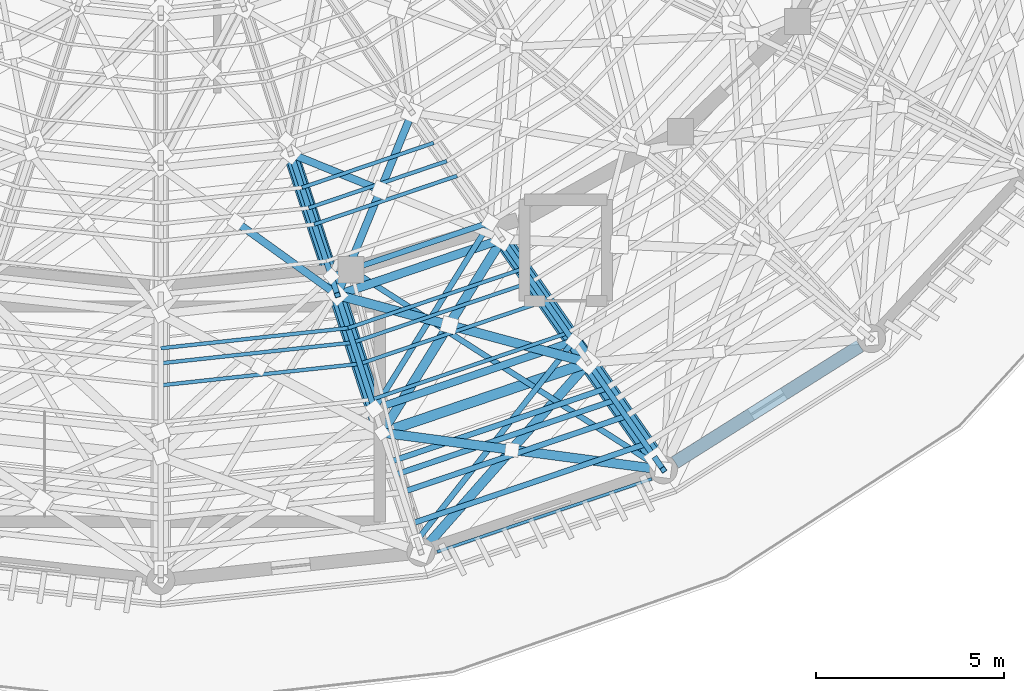
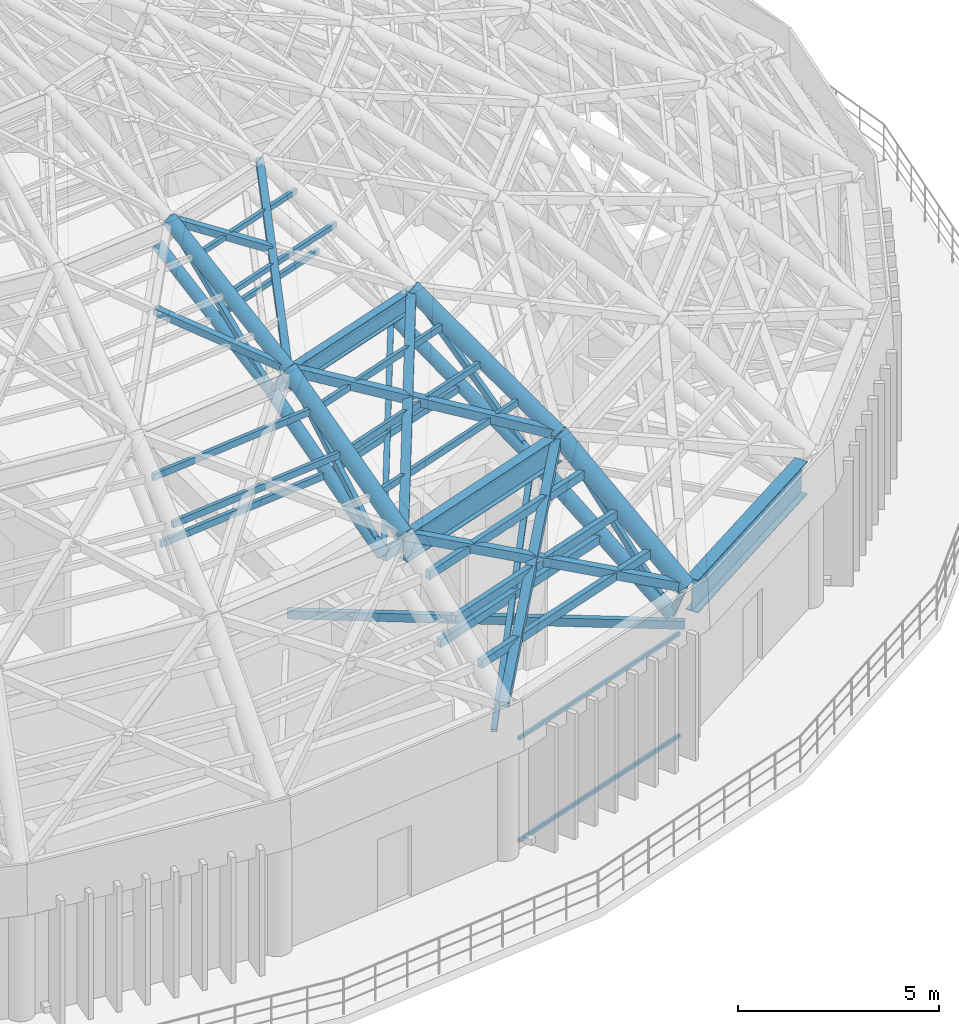
# One storey, part 15 of 50: 44 members, 3 beams.
"""IFC4 building model written with IfcOpenShell, lengths in metres."""

import ifcopenshell
import ifcopenshell.guid

model = None  # the IFC model being written
_history = None  # IfcOwnerHistory: only IFC2X3 demands one
_inside = {}  # id of a spatial element -> (the spatial element, [elements in it])
_under = {}  # id of a project, library or spatial element -> (it, [spatial elements below it])
_declared = {}  # id of a project -> (the project, [libraries it declares])
_typed = {}  # id of a type object -> (the type object, [elements of that type])
_made_of = {}  # id of a material, layer set ... -> (it, [elements and type objects made of it])


def new_model(schema):
    """Start an empty IFC model of exactly this schema.

    Asked for "IFC4X3", IfcOpenShell would pick the latest addendum, in which some entities
    have other attributes; the version numbers below select the first issue.
    IFC2X3 requires an IfcOwnerHistory on every rooted entity: one is made here for all.
    """
    global model, _history
    if schema == "IFC4X3":
        model = ifcopenshell.file(schema_version=(4, 3, 0, 0))
    else:
        model = ifcopenshell.file(schema=schema)
    _inside.clear()
    _under.clear()
    _declared.clear()
    _typed.clear()
    _made_of.clear()
    _history = None
    if model.schema == "IFC2X3":
        org = make("IfcOrganization", Name="unknown")
        user = make(
            "IfcPersonAndOrganization",
            ThePerson=make("IfcPerson", FamilyName="unknown"),
            TheOrganization=org,
        )
        app = make(
            "IfcApplication",
            ApplicationDeveloper=org,
            Version="unknown",
            ApplicationFullName="unknown",
            ApplicationIdentifier="unknown",
        )
        _history = make(
            "IfcOwnerHistory",
            OwningUser=user,
            OwningApplication=app,
            ChangeAction="ADDED",
            CreationDate=0,
        )
    return model


def make(cls, **values):
    """One entity of the class cls with the attributes given. An attribute that is None is left unset."""
    return model.create_entity(
        cls, **{name: value for name, value in values.items() if value is not None}
    )


def rooted(cls, **values):
    """An entity with a GlobalId (a new one), such as an element, a storey or a relation."""
    return make(cls, GlobalId=ifcopenshell.guid.new(), OwnerHistory=_history, **values)


def si_unit(unit_type, name, prefix=None):
    """IfcSIUnit, for example si_unit("LENGTHUNIT", "METRE", prefix="MILLI")."""
    return make("IfcSIUnit", UnitType=unit_type, Prefix=prefix, Name=name)


def assignment(units):
    """IfcUnitAssignment: the units of a project."""
    return None if units is None else make("IfcUnitAssignment", Units=units)


def point(xyz):
    """IfcCartesianPoint."""
    return None if xyz is None else make("IfcCartesianPoint", Coordinates=xyz)


def direction(xyz):
    """IfcDirection."""
    return None if xyz is None else make("IfcDirection", DirectionRatios=xyz)


def frame(location, z_axis=None, x_axis=None):
    """IfcAxis2Placement3D, a coordinate frame: its origin and axes. An axis left out is left unset."""
    return make(
        "IfcAxis2Placement3D",
        Location=point(location),
        Axis=direction(z_axis),
        RefDirection=direction(x_axis),
    )


def frame_2d(location, x_axis=None):
    """IfcAxis2Placement2D, a coordinate frame in the plane: its origin and x axis."""
    return make(
        "IfcAxis2Placement2D", Location=point(location), RefDirection=direction(x_axis)
    )


def origin():
    """The frame at (0, 0, 0) with its axes left unset."""
    return frame((0.0, 0.0, 0.0))


def origin_2d():
    """The frame at (0, 0) in the plane with its x axis left unset."""
    return frame_2d((0.0, 0.0))


def place(relative_to, where):
    """IfcLocalPlacement: puts the frame where relative to a parent placement (None: the world)."""
    return make(
        "IfcLocalPlacement", PlacementRelTo=relative_to, RelativePlacement=where
    )


def context(
    kind, dimensions, precision=None, world=None, true_north=None, identifier=None
):
    """IfcGeometricRepresentationContext, for example the 3D "Model" context."""
    return make(
        "IfcGeometricRepresentationContext",
        ContextIdentifier=identifier,
        ContextType=kind,
        CoordinateSpaceDimension=dimensions,
        Precision=precision,
        WorldCoordinateSystem=world,
        TrueNorth=true_north,
    )


def subcontext(parent, identifier, kind, view, scale=None):
    """IfcGeometricRepresentationSubContext, for example "Body" below "Model"."""
    return make(
        "IfcGeometricRepresentationSubContext",
        ContextIdentifier=identifier,
        ContextType=kind,
        ParentContext=parent,
        TargetScale=scale,
        TargetView=view,
    )


def project(units=None, contexts=None):
    """IfcProject with its units and contexts."""
    return rooted(
        "IfcProject",
        Name="project",
        RepresentationContexts=contexts,
        UnitsInContext=assignment(units),
    )


def spatial(cls, under=None, at=None, **own):
    """A site, building, storey or space (cls), placed at a placement, below another one or the project."""
    s = rooted(cls, ObjectPlacement=at, **own)
    if under is not None:
        _under.setdefault(under.id(), (under, []))[1].append(s)
    return s


def profile(cls, at=None, kind="AREA", **sizes):
    """A parametric profile (cls). Its sizes go by their IFC names, for example OverallWidth=200.0."""
    return make(cls, ProfileType=kind, Position=at, **sizes)


def rectangle(**sizes):
    """IfcRectangleProfileDef."""
    return profile("IfcRectangleProfileDef", **sizes)


def hollow_rectangle(**sizes):
    """IfcRectangleHollowProfileDef."""
    return profile("IfcRectangleHollowProfileDef", **sizes)


def hollow_circle(**sizes):
    """IfcCircleHollowProfileDef."""
    return profile("IfcCircleHollowProfileDef", **sizes)


def i_section(**sizes):
    """IfcIShapeProfileDef."""
    return profile("IfcIShapeProfileDef", **sizes)


def extrude(swept, where, along, depth):
    """IfcExtrudedAreaSolid: the profile swept, set in the frame where, extruded along a direction by depth."""
    return make(
        "IfcExtrudedAreaSolid",
        SweptArea=swept,
        Position=where,
        ExtrudedDirection=direction(along),
        Depth=depth,
    )


def shape(context_of_items, identifier, shape_type, items):
    """IfcShapeRepresentation: the items that make up one representation, for example the "Body"."""
    return make(
        "IfcShapeRepresentation",
        ContextOfItems=context_of_items,
        RepresentationIdentifier=identifier,
        RepresentationType=shape_type,
        Items=items,
    )


def material(Name=None, Category=None):
    """IfcMaterial."""
    return make("IfcMaterial", Name=Name, Category=Category)


def material_profile(
    of_material, cross_section, Name=None, Category=None, Priority=None
):
    """IfcMaterialProfile: a cross section and its material."""
    return make(
        "IfcMaterialProfile",
        Name=Name,
        Material=of_material,
        Profile=cross_section,
        Priority=Priority,
        Category=Category,
    )


def profile_set(profiles, Name=None, composite=None):
    """IfcMaterialProfileSet."""
    return make(
        "IfcMaterialProfileSet",
        Name=Name,
        MaterialProfiles=profiles,
        CompositeProfile=composite,
    )


def made_of(thing, what):
    """Note that an element or type object is made of a material, layer set ...; save() writes the relation."""
    if what is not None:
        _made_of.setdefault(what.id(), (what, []))[1].append(thing)
    return thing


def type_object(cls, material=None, **own):
    """A type object (cls), such as IfcWallType, which elements share."""
    return made_of(rooted(cls, **own), material)


def element(
    cls,
    number,
    at=None,
    inside=None,
    cuts=None,
    type_object=None,
    material=None,
    context=None,
    identifier="Body",
    shape_type=None,
    held_by="IfcProductDefinitionShape",
    body=None,
    shapes=None,
    **own,
):
    """One element of the class cls, such as IfcWall. Its Tag is "e" and its number.

    at: its placement. inside: the storey or other place that contains it. cuts: it is an
    opening in that element (IfcRelVoidsElement). A single representation is given by context,
    identifier, shape_type and body (its items); several are given by shapes. held_by: the class
    of the entity that holds the representations. save() writes the other relations.
    """
    e = rooted(cls, Tag="e%d" % number, ObjectPlacement=at, **own)
    if body is not None:
        shapes = [shape(context, identifier, shape_type, body)]
    if shapes is not None:
        e.Representation = make(held_by, Representations=shapes)
    if inside is not None:
        _inside.setdefault(inside.id(), (inside, []))[1].append(e)
    if cuts is not None:
        rooted(
            "IfcRelVoidsElement", RelatingBuildingElement=cuts, RelatedOpeningElement=e
        )
    if type_object is not None:
        _typed.setdefault(type_object.id(), (type_object, []))[1].append(e)
    return made_of(e, material)


def aggregate(whole, parts):
    """IfcRelAggregates: a whole, such as a stair, and the parts it consists of."""
    return rooted("IfcRelAggregates", RelatingObject=whole, RelatedObjects=parts)


def save(model, path):
    """Write the relations noted so far, then the file.

    IfcRelAggregates (storeys below a building ...), IfcRelContainedInSpatialStructure (elements
    in a storey), IfcRelDefinesByType, IfcRelAssociatesMaterial and IfcRelDeclares: one each for
    every whole, place, type object, material and project.
    """
    for whole, parts in _under.values():
        aggregate(whole, parts)
    for where, things in _inside.values():
        rooted(
            "IfcRelContainedInSpatialStructure",
            RelatedElements=things,
            RelatingStructure=where,
        )
    for kind, things in _typed.values():
        rooted("IfcRelDefinesByType", RelatedObjects=things, RelatingType=kind)
    for what, things in _made_of.values():
        rooted("IfcRelAssociatesMaterial", RelatedObjects=things, RelatingMaterial=what)
    for by, libraries in _declared.values():
        rooted("IfcRelDeclares", RelatingContext=by, RelatedDefinitions=libraries)
    model.write(path)


model = new_model("IFC4")

# Units and contexts
model_context = context("Model", 3, precision=1e-05, world=origin(), true_north=direction((0.0, 1.0)))
body_context = subcontext(model_context, "Body", "Model", "MODEL_VIEW")
ifc_project = project(units=[si_unit("LENGTHUNIT", "METRE"), si_unit("AREAUNIT", "SQUARE_METRE"), si_unit("VOLUMEUNIT", "CUBIC_METRE"), si_unit("PLANEANGLEUNIT", "RADIAN"), si_unit("MASSUNIT", "GRAM", prefix="KILO")], contexts=[model_context])

# Site, building, storey
site_placement = place(None, origin())
site = spatial("IfcSite", under=ifc_project, at=site_placement, CompositionType="ELEMENT")
building_placement = place(site_placement, origin())
building = spatial("IfcBuilding", under=site, at=building_placement, Name="Cinderbank Siding Concert Hall", CompositionType="ELEMENT")
storey_placement = place(building_placement, frame((0.0, 0.0, 23.699951171875)))
storey = spatial("IfcBuildingStorey", under=building, at=storey_placement, Name="L06", CompositionType="ELEMENT", Elevation=23.699951171875)

# Beams
ifc_material_1 = material(Name="Structural steel AS/NZS 3679.1 Grade 350 (340 MPa)", Category="steel")
ifc_material_profile_1 = material_profile(ifc_material_1, i_section(OverallWidth=0.22900390625, OverallDepth=0.611572265625, WebThickness=0.011962890625, FlangeThickness=0.01953125, at=origin_2d()), Name="610UB125", Category="LoadBearing")
ifc_profile_set_1 = profile_set([ifc_material_profile_1], Name="Structural steel AS/NZS 3679.1 Grade 350 (340 MPa)")
beam_type_1 = type_object("IfcBeamType", Name="BM-UB610H 610UB125", PredefinedType="BEAM", material=ifc_profile_set_1)
beam_1_placement = place(storey_placement, frame((126.71044921875, 29.607666015625, 10.994140625), z_axis=(0.94703248812, 0.321137768636, 0.0), x_axis=(-0.321137768636, 0.94703248812, 0.0)))
element("IfcBeam", 1, at=beam_1_placement, inside=storey, type_object=beam_type_1, Name="L06 Beam BM-UB610H #2069", PredefinedType="BEAM", context=body_context, shape_type="SweptSolid", body=[
    extrude(i_section(OverallWidth=0.22900390625, OverallDepth=0.611572265625, WebThickness=0.011962890625, FlangeThickness=0.01953125, at=origin_2d()), origin(), (0.0, 0.0, 1.0), 4.63525390625),
])
ifc_material_2 = material(Name="Structural steel welded plate section AS/NZS 3679.2 / AS/NZS 3678 Grade 350 (340 MPa)", Category="steel")
ifc_material_profile_2 = material_profile(ifc_material_2, i_section(OverallWidth=0.35009765625, OverallDepth=1.0, WebThickness=0.013916015625, FlangeThickness=0.02490234375, at=origin_2d()), Name="1000WB258", Category="LoadBearing")
ifc_profile_set_2 = profile_set([ifc_material_profile_2], Name="Structural steel welded plate section AS/NZS 3679.2 / AS/NZS 3678 Grade 350 (340 MPa)")
beam_type_2 = type_object("IfcBeamType", Name="BM-WB1000 1000WB258", PredefinedType="BEAM", material=ifc_profile_set_2)
beam_2_placement = place(storey_placement, frame((135.71044921875, 25.14306640625, 4.0), z_axis=(0.8461355517, 0.532967755263, 0.0), x_axis=(-0.532967755263, 0.8461355517, 0.0)))
element("IfcBeam", 2, at=beam_2_placement, inside=storey, type_object=beam_type_2, Name="L06 Beam BM-WB1000 #835", PredefinedType="BEAM", context=body_context, shape_type="SweptSolid", body=[
    extrude(i_section(OverallWidth=0.35009765625, OverallDepth=1.0, WebThickness=0.013916015625, FlangeThickness=0.02490234375, at=origin_2d()), origin(), (0.0, 0.0, 1.0), 5.825927734375),
])
ifc_material_profile_3 = material_profile(ifc_material_2, i_section(OverallWidth=0.27490234375, OverallDepth=0.800048828125, WebThickness=0.010009765625, FlangeThickness=0.01611328125, at=origin_2d()), Name="800WB146", Category="LoadBearing")
ifc_profile_set_3 = profile_set([ifc_material_profile_3], Name="Structural steel welded plate section AS/NZS 3679.2 / AS/NZS 3678 Grade 350 (340 MPa)")
beam_type_3 = type_object("IfcBeamType", Name="BM-WB800 800WB146", PredefinedType="BEAM", material=ifc_profile_set_3)
beam_3_placement = place(storey_placement, frame((127.901123046875, 25.937255859375, 7.699951171875), z_axis=(0.946847286492, 0.32168340968, 0.0), x_axis=(-0.32168340968, 0.946847286492, 0.0)))
element("IfcBeam", 3, at=beam_3_placement, inside=storey, type_object=beam_type_3, Name="L06 Beam BM-WB800 #2052", PredefinedType="BEAM", context=body_context, shape_type="SweptSolid", body=[
    extrude(i_section(OverallWidth=0.27490234375, OverallDepth=0.800048828125, WebThickness=0.010009765625, FlangeThickness=0.01611328125, at=origin_2d()), origin(), (0.0, 0.0, 1.0), 5.807373046875),
])

# Members
ifc_material_3 = material(Name="Structural steel hollow section AS/NZS 1163 Grade C350L0 (350 MPa)", Category="steel")
ifc_material_profile_4 = material_profile(ifc_material_3, hollow_rectangle(XDim=0.14990234375, YDim=0.14990234375, WallThickness=0.008056640625, at=origin_2d()), Name="150x150x8.0SHS", Category="LoadBearing")
ifc_profile_set_4 = profile_set([ifc_material_profile_4], Name="Structural steel hollow section AS/NZS 1163 Grade C350L0 (350 MPa)")
member_type_1 = type_object("IfcMemberType", Name="BR-SHS150 150x150x8.0SHS Roof Truss", PredefinedType="BRACE", material=ifc_profile_set_4)
member_1_placement = place(storey_placement, frame((128.832275390625, 23.068359375, 3.550048828125), z_axis=(0.545181601427, 0.69361786878, 0.470819788852), x_axis=(-0.78621032505, 0.617958999274, 0.0)))
element("IfcMember", 4, at=member_1_placement, inside=storey, type_object=member_type_1, Name="L06 Diagonal Brace BR-SHS150 #DBRI-BR-SHS150-L06-0767", PredefinedType="BRACE", context=body_context, shape_type="SweptSolid", body=[
    extrude(hollow_rectangle(XDim=0.14990234375, YDim=0.14990234375, WallThickness=0.008056640625, at=origin_2d()), origin(), (0.0, 0.0, 1.0), 7.646484375),
])
member_2_placement = place(storey_placement, frame((135.198974609375, 25.233154296875, 3.550048828125), z_axis=(-0.325461221953, 0.465335789726, 0.823126719166), x_axis=(-0.819458401661, -0.573138663804, 0.0)))
element("IfcMember", 5, at=member_2_placement, inside=storey, type_object=member_type_1, Name="L06 Diagonal Brace BR-SHS150 #DWBD-BR-SHS150-L06-0770", PredefinedType="BRACE", context=body_context, shape_type="SweptSolid", body=[
    extrude(hollow_rectangle(XDim=0.14990234375, YDim=0.14990234375, WallThickness=0.008056640625, at=origin_2d()), origin(), (0.0, 0.0, 1.0), 5.52783203125),
])
member_3_placement = place(storey_placement, frame((135.198974609375, 25.233154296875, 3.550048828125), z_axis=(0.198523096984, -0.28222603095, 0.938582467031), x_axis=(0.817916075625, 0.575337547213, 0.0)))
element("IfcMember", 6, at=member_3_placement, inside=storey, type_object=member_type_1, Name="L06 Diagonal Brace BR-SHS150 #DWBV-BR-SHS150-L06-0773", PredefinedType="BRACE", context=body_context, shape_type="SweptSolid", body=[
    extrude(hollow_rectangle(XDim=0.14990234375, YDim=0.14990234375, WallThickness=0.008056640625, at=origin_2d()), origin(), (0.0, 0.0, 1.0), 1.01220703125),
])
member_4_placement = place(storey_placement, frame((127.694580078125, 26.5693359375, 7.150146484375), z_axis=(-0.187934294222, 0.580213915056, 0.792485024357), x_axis=(-0.951339765212, -0.30814388056, 0.0)))
element("IfcMember", 7, at=member_4_placement, inside=storey, type_object=member_type_1, Name="L06 Diagonal Brace BR-SHS150 #DWBD-BR-SHS150-L06-1046", PredefinedType="BRACE", context=body_context, shape_type="SweptSolid", body=[
    extrude(hollow_rectangle(XDim=0.14990234375, YDim=0.14990234375, WallThickness=0.008056640625, at=origin_2d()), origin(), (0.0, 0.0, 1.0), 5.236572265625),
])
member_5_placement = place(storey_placement, frame((127.694580078125, 26.5693359375, 7.150146484375), z_axis=(0.462465684952, 0.745855761431, 0.479400326848), x_axis=(-0.849884772725, 0.526968569357, 0.0)))
element("IfcMember", 8, at=member_5_placement, inside=storey, type_object=member_type_1, Name="L06 Diagonal Brace BR-SHS150 #DBRI-BR-SHS150-L06-1055", PredefinedType="BRACE", context=body_context, shape_type="SweptSolid", body=[
    extrude(hollow_rectangle(XDim=0.14990234375, YDim=0.14990234375, WallThickness=0.008056640625, at=origin_2d()), origin(), (0.0, 0.0, 1.0), 6.6748046875),
])
member_6_placement = place(storey_placement, frame((133.0009765625, 28.3720703125, 7.150146484375), z_axis=(-0.357602166858, 0.512474310018, 0.780698899596), x_axis=(-0.820080431066, -0.572248273551, 0.0)))
element("IfcMember", 9, at=member_6_placement, inside=storey, type_object=member_type_1, Name="L06 Diagonal Brace BR-SHS150 #DWBD-BR-SHS150-L06-1058", PredefinedType="BRACE", context=body_context, shape_type="SweptSolid", body=[
    extrude(hollow_rectangle(XDim=0.14990234375, YDim=0.14990234375, WallThickness=0.008056640625, at=origin_2d()), origin(), (0.0, 0.0, 1.0), 5.315673828125),
])
member_7_placement = place(storey_placement, frame((126.545654296875, 30.111328125, 10.35009765625), z_axis=(-0.214909661332, 0.650962484257, 0.728053350762), x_axis=(-0.949588685113, -0.313498531264, 0.0)))
element("IfcMember", 10, at=member_7_placement, inside=storey, type_object=member_type_1, Name="L06 Diagonal Brace BR-SHS150 #DWBD-BR-SHS150-L06-1334", PredefinedType="BRACE", context=body_context, shape_type="SweptSolid", body=[
    extrude(hollow_rectangle(XDim=0.14990234375, YDim=0.14990234375, WallThickness=0.008056640625, at=origin_2d()), origin(), (0.0, 0.0, 1.0), 5.01318359375),
])
member_8_placement = place(storey_placement, frame((126.545654296875, 30.111328125, 10.35009765625), z_axis=(0.151498168389, -0.463023290943, 0.873302775113), x_axis=(0.950419411775, 0.310970966044, 0.0)))
element("IfcMember", 11, at=member_8_placement, inside=storey, type_object=member_type_1, Name="L06 Diagonal Brace BR-SHS150 #DWBV-BR-SHS150-L06-1337", PredefinedType="BRACE", context=body_context, shape_type="SweptSolid", body=[
    extrude(hollow_rectangle(XDim=0.14990234375, YDim=0.14990234375, WallThickness=0.008056640625, at=origin_2d()), origin(), (0.0, 0.0, 1.0), 1.087646484375),
])
ifc_material_profile_5 = material_profile(ifc_material_3, hollow_rectangle(XDim=0.199951171875, YDim=0.199951171875, WallThickness=0.009033203125, at=origin_2d()), Name="200x200x9.0SHS", Category="LoadBearing")
ifc_profile_set_5 = profile_set([ifc_material_profile_5], Name="Structural steel hollow section AS/NZS 1163 Grade C350L0 (350 MPa)")
member_type_2 = type_object("IfcMemberType", Name="BR-SHS200 200x200x9.0SHS Roof Truss", PredefinedType="BRACE", material=ifc_profile_set_5)
member_9_placement = place(storey_placement, frame((126.71044921875, 29.607666015625, 11.300048828125), z_axis=(-0.735770579024, 0.529890430557, 0.421731889531), x_axis=(-0.58440322325, -0.811463414243, 0.0)))
element("IfcMember", 12, at=member_9_placement, inside=storey, type_object=member_type_2, Name="L06 Diagonal Brace BR-SHS200 #DBRO-BR-SHS200-L06-1330", PredefinedType="BRACE", context=body_context, shape_type="SweptSolid", body=[
    extrude(hollow_rectangle(XDim=0.199951171875, YDim=0.199951171875, WallThickness=0.009033203125, at=origin_2d()), origin(), (0.0, 0.0, 1.0), 3.672607421875),
])
member_10_placement = place(storey_placement, frame((126.71044921875, 29.607666015625, 11.300048828125), z_axis=(0.336645747744, 0.823375432358, 0.456861617904), x_axis=(-0.925621655258, 0.378450196613, 0.0)))
element("IfcMember", 13, at=member_10_placement, inside=storey, type_object=member_type_2, Name="L06 Diagonal Brace BR-SHS200 #DBRO-BR-SHS200-L06-1341", PredefinedType="BRACE", context=body_context, shape_type="SweptSolid", body=[
    extrude(hollow_rectangle(XDim=0.199951171875, YDim=0.199951171875, WallThickness=0.009033203125, at=origin_2d()), origin(), (0.0, 0.0, 1.0), 5.90966796875),
])
member_11_placement = place(storey_placement, frame((127.843505859375, 32.413818359375, 12.861328125), z_axis=(-0.847126729661, 0.342716703458, 0.406105362025), x_axis=(-0.375034859642, -0.927010708705, 0.0)))
element("IfcMember", 14, at=member_11_placement, inside=storey, type_object=member_type_2, Name="L06 Diagonal Brace BR-SHS200 #DBRO-BR-SHS200-L06-1342-S124", PredefinedType="BRACE", context=body_context, shape_type="SweptSolid", body=[
    extrude(hollow_rectangle(XDim=0.199951171875, YDim=0.199951171875, WallThickness=0.009033203125, at=origin_2d()), origin(), (0.0, 0.0, 1.0), 2.803955078125),
])
ifc_material_profile_6 = material_profile(ifc_material_3, hollow_rectangle(XDim=0.25, YDim=0.25, WallThickness=0.010009765625, at=origin_2d()), Name="250x250x10.0SHS", Category="LoadBearing")
ifc_profile_set_6 = profile_set([ifc_material_profile_6], Name="Structural steel hollow section AS/NZS 1163 Grade C350L0 (350 MPa)")
member_type_3 = type_object("IfcMemberType", Name="BR-SHS250 250x250x10.0SHS Roof Truss", PredefinedType="BRACE", material=ifc_profile_set_6)
member_12_placement = place(storey_placement, frame((128.936279296875, 22.74951171875, 4.5), z_axis=(0.583857667067, 0.661330658387, 0.470905494643), x_axis=(-0.749651899244, 0.661832327678, 0.0)))
element("IfcMember", 15, at=member_12_placement, inside=storey, type_object=member_type_3, Name="L06 Diagonal Brace BR-SHS250 #DBRO-BR-SHS250-L06-0765", PredefinedType="BRACE", context=body_context, shape_type="SweptSolid", body=[
    extrude(hollow_rectangle(XDim=0.25, YDim=0.25, WallThickness=0.010009765625, at=origin_2d()), origin(), (0.0, 0.0, 1.0), 7.64501953125),
])
member_13_placement = place(storey_placement, frame((135.39990234375, 24.947509765625, 4.5), z_axis=(-0.895170843684, 0.118147397325, 0.429779423802), x_axis=(-0.130848333351, -0.991402397445, 0.0)))
element("IfcMember", 16, at=member_13_placement, inside=storey, type_object=member_type_3, Name="L06 Diagonal Brace BR-SHS250 #DBRO-BR-SHS250-L06-0766", PredefinedType="BRACE", context=body_context, shape_type="SweptSolid", body=[
    extrude(hollow_rectangle(XDim=0.25, YDim=0.25, WallThickness=0.010009765625, at=origin_2d()), origin(), (0.0, 0.0, 1.0), 4.510986328125),
])
member_14_placement = place(storey_placement, frame((131.3349609375, 25.48388671875, 6.45166015625), z_axis=(-0.895184303146, 0.118191059434, 0.429739382499), x_axis=(-0.130893926452, -0.991396378861, 0.0)))
element("IfcMember", 17, at=member_14_placement, inside=storey, type_object=member_type_3, Name="L06 Diagonal Brace BR-SHS250 #DBRO-BR-SHS250-L06-0766-S76", PredefinedType="BRACE", context=body_context, shape_type="SweptSolid", body=[
    extrude(hollow_rectangle(XDim=0.25, YDim=0.25, WallThickness=0.010009765625, at=origin_2d()), origin(), (0.0, 0.0, 1.0), 3.8359375),
])
member_15_placement = place(storey_placement, frame((127.901123046875, 25.937255859375, 8.10009765625), z_axis=(0.466183459403, 0.751806661119, 0.466325772906), x_axis=(-0.84987062871, 0.526991379868, 0.0)))
element("IfcMember", 18, at=member_15_placement, inside=storey, type_object=member_type_3, Name="L06 Diagonal Brace BR-SHS250 #DBRO-BR-SHS250-L06-1053", PredefinedType="BRACE", context=body_context, shape_type="SweptSolid", body=[
    extrude(hollow_rectangle(XDim=0.25, YDim=0.25, WallThickness=0.010009765625, at=origin_2d()), origin(), (0.0, 0.0, 1.0), 6.862060546875),
])
member_16_placement = place(storey_placement, frame((133.39990234375, 27.805419921875, 8.10009765625), z_axis=(-0.876581362999, 0.236164796434, 0.41932243318), x_axis=(-0.260139980225, -0.965570914376, 0.0)))
element("IfcMember", 19, at=member_16_placement, inside=storey, type_object=member_type_3, Name="L06 Diagonal Brace BR-SHS250 #DBRO-BR-SHS250-L06-1054", PredefinedType="BRACE", context=body_context, shape_type="SweptSolid", body=[
    extrude(hollow_rectangle(XDim=0.25, YDim=0.25, WallThickness=0.010009765625, at=origin_2d()), origin(), (0.0, 0.0, 1.0), 4.22802734375),
])
member_17_placement = place(storey_placement, frame((129.667236328125, 28.81103515625, 9.8857421875), z_axis=(-0.876591247642, 0.236175149951, 0.419295937379), x_axis=(-0.260147878006, -0.965568786555, 0.0)))
element("IfcMember", 20, at=member_17_placement, inside=storey, type_object=member_type_3, Name="L06 Diagonal Brace BR-SHS250 #DBRO-BR-SHS250-L06-1054-S100", PredefinedType="BRACE", context=body_context, shape_type="SweptSolid", body=[
    extrude(hollow_rectangle(XDim=0.25, YDim=0.25, WallThickness=0.010009765625, at=origin_2d()), origin(), (0.0, 0.0, 1.0), 3.373046875),
])
ifc_material_profile_7 = material_profile(ifc_material_3, hollow_circle(Radius=0.161865234375, WallThickness=0.0126953125, at=origin_2d()), Name="323.9x12.7CHS", Category="LoadBearing")
ifc_profile_set_7 = profile_set([ifc_material_profile_7], Name="Structural steel hollow section AS/NZS 1163 Grade C350L0 (350 MPa)")
member_type_4 = type_object("IfcMemberType", Name="DR-CHS323 323.9x12.7CHS Roof Truss", PredefinedType="RAFTER", material=ifc_profile_set_7)
member_18_placement = place(storey_placement, frame((126.545654296875, 30.111328125, 10.35009765625), z_axis=(-0.255957843649, 0.776056259813, 0.576387251663), x_axis=(-0.949679883336, -0.313222156284, 0.0)))
element("IfcMember", 21, at=member_18_placement, inside=storey, type_object=member_type_4, Name="L06 Roof Truss Member DR-CHS323 #1333", PredefinedType="RAFTER", context=body_context, shape_type="SweptSolid", body=[
    extrude(hollow_circle(Radius=0.161865234375, WallThickness=0.0126953125, at=origin_2d()), origin(), (0.0, 0.0, 1.0), 4.684326171875),
])
ifc_material_profile_8 = material_profile(ifc_material_3, hollow_circle(Radius=0.177734375, WallThickness=0.0126953125, at=origin_2d()), Name="355.6x12.7CHS", Category="LoadBearing")
ifc_profile_set_8 = profile_set([ifc_material_profile_8], Name="Structural steel hollow section AS/NZS 1163 Grade C350L0 (350 MPa)")
member_type_5 = type_object("IfcMemberType", Name="DR-CHS355 355.6x12.7CHS Roof Truss", PredefinedType="RAFTER", material=ifc_profile_set_8)
member_19_placement = place(storey_placement, frame((127.694580078125, 26.5693359375, 7.150146484375), z_axis=(-0.234010079383, 0.72142333865, 0.651757354541), x_axis=(-0.951209297801, -0.308546385129, 0.0)))
element("IfcMember", 22, at=member_19_placement, inside=storey, type_object=member_type_5, Name="L06 Roof Truss Member DR-CHS355 #1045", PredefinedType="RAFTER", context=body_context, shape_type="SweptSolid", body=[
    extrude(hollow_circle(Radius=0.177734375, WallThickness=0.0126953125, at=origin_2d()), origin(), (0.0, 0.0, 1.0), 4.90966796875),
])
member_20_placement = place(storey_placement, frame((133.0009765625, 28.3720703125, 7.150146484375), z_axis=(-0.441681473621, 0.631986867107, 0.636796730256), x_axis=(-0.819663892962, -0.572844745612, 0.0)))
element("IfcMember", 23, at=member_20_placement, inside=storey, type_object=member_type_5, Name="L06 Roof Truss Member DR-CHS355 #1057", PredefinedType="RAFTER", context=body_context, shape_type="SweptSolid", body=[
    extrude(hollow_circle(Radius=0.177734375, WallThickness=0.0126953125, at=origin_2d()), origin(), (0.0, 0.0, 1.0), 5.025146484375),
])
ifc_material_profile_9 = material_profile(ifc_material_3, hollow_circle(Radius=0.203125, WallThickness=0.01611328125, at=origin_2d()), Name="406.4x16.0CHS", Category="LoadBearing")
ifc_profile_set_9 = profile_set([ifc_material_profile_9], Name="Structural steel hollow section AS/NZS 1163 Grade C350L0 (350 MPa)")
member_type_6 = type_object("IfcMemberType", Name="DR-CHS406 406.4x16.0CHS Roof Truss", PredefinedType="RAFTER", material=ifc_profile_set_9)
member_21_placement = place(storey_placement, frame((135.198974609375, 25.233154296875, 3.550048828125), z_axis=(-0.418043448824, 0.596999291517, 0.684712728685), x_axis=(-0.819139121864, -0.573594891043, 0.0)))
element("IfcMember", 24, at=member_21_placement, inside=storey, type_object=member_type_6, Name="L06 Roof Truss Member DR-CHS406 #769", PredefinedType="RAFTER", context=body_context, shape_type="SweptSolid", body=[
    extrude(hollow_circle(Radius=0.203125, WallThickness=0.01611328125, at=origin_2d()), origin(), (0.0, 0.0, 1.0), 5.2578125),
])
member_22_placement = place(storey_placement, frame((126.71044921875, 29.607666015625, 11.300048828125), z_axis=(-0.258880473297, 0.785087598854, 0.562688513009), x_axis=(-0.949700058716, -0.313160978532, 0.0)))
element("IfcMember", 25, at=member_22_placement, inside=storey, type_object=member_type_6, Name="L06 Roof Truss Member DR-CHS406 #1332", PredefinedType="RAFTER", context=body_context, shape_type="SweptSolid", body=[
    extrude(hollow_circle(Radius=0.203125, WallThickness=0.01611328125, at=origin_2d()), origin(), (0.0, 0.0, 1.0), 4.79833984375),
])
ifc_material_profile_10 = material_profile(ifc_material_3, hollow_circle(Radius=0.228515625, WallThickness=0.01611328125, at=origin_2d()), Name="457.0x16.0CHS", Category="LoadBearing")
ifc_profile_set_10 = profile_set([ifc_material_profile_10], Name="Structural steel hollow section AS/NZS 1163 Grade C350L0 (350 MPa)")
member_type_7 = type_object("IfcMemberType", Name="DR-CHS457 457.0x16.0CHS Roof Truss", PredefinedType="RAFTER", material=ifc_profile_set_10)
member_23_placement = place(storey_placement, frame((127.901123046875, 25.937255859375, 8.10009765625), z_axis=(-0.237521316365, 0.73219099246, 0.638341581626), x_axis=(-0.951202242561, -0.308568134693, 0.0)))
element("IfcMember", 26, at=member_23_placement, inside=storey, type_object=member_type_7, Name="L06 Roof Truss Member DR-CHS457 #1044", PredefinedType="RAFTER", context=body_context, shape_type="SweptSolid", body=[
    extrude(hollow_circle(Radius=0.228515625, WallThickness=0.01611328125, at=origin_2d()), origin(), (0.0, 0.0, 1.0), 5.012939453125),
])
member_24_placement = place(storey_placement, frame((133.39990234375, 27.805419921875, 8.10009765625), z_axis=(-0.447955638563, 0.640976014033, 0.623286046141), x_axis=(-0.819668785682, -0.572837744723, 0.0)))
element("IfcMember", 27, at=member_24_placement, inside=storey, type_object=member_type_7, Name="L06 Roof Truss Member DR-CHS457 #1056", PredefinedType="RAFTER", context=body_context, shape_type="SweptSolid", body=[
    extrude(hollow_circle(Radius=0.228515625, WallThickness=0.01611328125, at=origin_2d()), origin(), (0.0, 0.0, 1.0), 5.134033203125),
])
ifc_material_profile_11 = material_profile(ifc_material_3, hollow_circle(Radius=0.25390625, WallThickness=0.01611328125, at=origin_2d()), Name="508.0x16.0CHS", Category="LoadBearing")
ifc_profile_set_11 = profile_set([ifc_material_profile_11], Name="Structural steel hollow section AS/NZS 1163 Grade C350L0 (350 MPa)")
member_type_8 = type_object("IfcMemberType", Name="DR-CHS508 508.0x16.0CHS Roof Truss", PredefinedType="RAFTER", material=ifc_profile_set_11)
member_25_placement = place(storey_placement, frame((135.39990234375, 24.947509765625, 4.5), z_axis=(-0.398977108308, 0.570120364972, 0.718178276259), x_axis=(-0.819304252775, -0.573358998696, 0.0)))
element("IfcMember", 28, at=member_25_placement, inside=storey, type_object=member_type_8, Name="L06 Roof Truss Member DR-CHS508 #768", PredefinedType="RAFTER", context=body_context, shape_type="SweptSolid", body=[
    extrude(hollow_circle(Radius=0.25390625, WallThickness=0.01611328125, at=origin_2d()), origin(), (0.0, 0.0, 1.0), 5.012939453125),
])
ifc_material_4 = material(Name="Anodised aluminium alloy 6063-T6", Category="aluminium")
ifc_material_profile_12 = material_profile(ifc_material_4, rectangle(XDim=0.080078125, YDim=0.10009765625, at=origin_2d()), Name="ALU-RAIL-80x100", Category="LoadBearing")
ifc_profile_set_12 = profile_set([ifc_material_profile_12], Name="Anodised aluminium alloy 6063-T6")
member_type_9 = type_object("IfcMemberType", Name="LV-RL1 Carrier Rail 80x100", PredefinedType="STUD", material=ifc_profile_set_12)
for number, where, z_axis, x_axis, name in (
    (29, (129.3642578125, 22.759033203125, 0.219970703125), (0.946760439523, 0.321938923017, 0.0), (-0.321938923017, 0.946760439523, 0.0), "L06 Louvre Carrier Rail 20 BOT"),
    (30, (129.3642578125, 22.759033203125, 3.320068359375), (0.946760439523, 0.321938923017, 0.0), (-0.321938923017, 0.946760439523, 0.0), "L06 Louvre Carrier Rail 20 TOP"),
):
    element("IfcMember", number, at=place(storey_placement, frame(where, z_axis=z_axis, x_axis=x_axis)), inside=storey, type_object=member_type_9, Name=name, PredefinedType="STUD", context=body_context, shape_type="SweptSolid", body=[
        extrude(rectangle(XDim=0.080078125, YDim=0.10009765625, at=origin_2d()), origin(), (0.0, 0.0, 1.0), 6.047119140625),
    ])
ifc_material_profile_13 = material_profile(ifc_material_3, hollow_rectangle(XDim=0.10009765625, YDim=0.14990234375, WallThickness=0.006103515625, at=origin_2d()), Name="150x100x6.0RHS", Category="LoadBearing")
ifc_profile_set_13 = profile_set([ifc_material_profile_13], Name="Structural steel hollow section AS/NZS 1163 Grade C350L0 (350 MPa)")
member_type_10 = type_object("IfcMemberType", Name="PR-RHS150 150x100x6.0RHS Roof Truss", PredefinedType="PURLIN", material=ifc_profile_set_13)
member_26_placement = place(storey_placement, frame((125.9462890625, 31.928955078125, 11.699951171875), z_axis=(0.946908313613, 0.321503725655, 0.0), x_axis=(-0.321503725655, 0.946908313613, 0.0)))
element("IfcMember", 31, at=member_26_placement, inside=storey, type_object=member_type_10, Name="L06 Roof Truss Member PR-RHS150 #1336", PredefinedType="PURLIN", context=body_context, shape_type="SweptSolid", body=[
    extrude(hollow_rectangle(XDim=0.10009765625, YDim=0.14990234375, WallThickness=0.006103515625, at=origin_2d()), origin(), (0.0, 0.0, 1.0), 3.883544921875),
])
member_27_placement = place(storey_placement, frame((126.08935546875, 31.4912109375, 12.650146484375), z_axis=(0.946915393689, 0.321482872319, 0.0), x_axis=(-0.321482872319, 0.946915393689, 0.0)))
element("IfcMember", 32, at=member_27_placement, inside=storey, type_object=member_type_10, Name="L06 Roof Truss Member PR-RHS150 #1339", PredefinedType="PURLIN", context=body_context, shape_type="SweptSolid", body=[
    extrude(hollow_rectangle(XDim=0.10009765625, YDim=0.14990234375, WallThickness=0.006103515625, at=origin_2d()), origin(), (0.0, 0.0, 1.0), 4.024169921875),
])
member_28_placement = place(storey_placement, frame((125.766357421875, 32.470703125, 13.35205078125), z_axis=(0.946842982336, 0.321696078312, 0.0), x_axis=(-0.321696078312, 0.946842982336, 0.0)))
element("IfcMember", 33, at=member_28_placement, inside=storey, type_object=member_type_10, Name="L06 Roof Truss Member PR-RHS150 #1340", PredefinedType="PURLIN", context=body_context, shape_type="SweptSolid", body=[
    extrude(hollow_rectangle(XDim=0.10009765625, YDim=0.14990234375, WallThickness=0.006103515625, at=origin_2d()), origin(), (0.0, 0.0, 1.0), 3.70654296875),
])
ifc_material_profile_14 = material_profile(ifc_material_3, hollow_rectangle(XDim=0.10009765625, YDim=0.199951171875, WallThickness=0.008056640625, at=origin_2d()), Name="200x100x8.0RHS", Category="LoadBearing")
ifc_profile_set_14 = profile_set([ifc_material_profile_14], Name="Structural steel hollow section AS/NZS 1163 Grade C350L0 (350 MPa)")
member_type_11 = type_object("IfcMemberType", Name="PR-RHS200 200x100x8.0RHS Roof Truss", PredefinedType="PURLIN", material=ifc_profile_set_14)
member_29_placement = place(storey_placement, frame((122.0, 27.7880859375, 8.75), z_axis=(0.994233579191, 0.107236141338, 0.0), x_axis=(-0.107236141338, 0.994233579191, 0.0)))
element("IfcMember", 34, at=member_29_placement, inside=storey, type_object=member_type_11, Name="L06 Roof Truss Member PR-RHS200 #1036", PredefinedType="PURLIN", context=body_context, shape_type="SweptSolid", body=[
    extrude(hollow_rectangle(XDim=0.10009765625, YDim=0.199951171875, WallThickness=0.008056640625, at=origin_2d()), origin(), (0.0, 0.0, 1.0), 5.14990234375),
])
member_30_placement = place(storey_placement, frame((122.0, 27.199951171875, 9.699951171875), z_axis=(0.994229091086, 0.107277744379, 0.0), x_axis=(-0.107277744379, 0.994229091086, 0.0)))
element("IfcMember", 35, at=member_30_placement, inside=storey, type_object=member_type_11, Name="L06 Roof Truss Member PR-RHS200 #1039", PredefinedType="PURLIN", context=body_context, shape_type="SweptSolid", body=[
    extrude(hollow_rectangle(XDim=0.10009765625, YDim=0.199951171875, WallThickness=0.008056640625, at=origin_2d()), origin(), (0.0, 0.0, 1.0), 5.336669921875),
])
member_31_placement = place(storey_placement, frame((122.0, 28.18798828125, 10.531982421875), z_axis=(0.994234657027, 0.107226147775, 0.0), x_axis=(-0.107226147775, 0.994234657027, 0.0)))
element("IfcMember", 36, at=member_31_placement, inside=storey, type_object=member_type_11, Name="L06 Roof Truss Member PR-RHS200 #1040", PredefinedType="PURLIN", context=body_context, shape_type="SweptSolid", body=[
    extrude(hollow_rectangle(XDim=0.10009765625, YDim=0.199951171875, WallThickness=0.008056640625, at=origin_2d()), origin(), (0.0, 0.0, 1.0), 5.025146484375),
])
member_32_placement = place(storey_placement, frame((127.1201171875, 28.34033203125, 8.75), z_axis=(0.946929459637, 0.321441438634, 0.0), x_axis=(-0.321441438634, 0.946929459637, 0.0)))
element("IfcMember", 37, at=member_32_placement, inside=storey, type_object=member_type_11, Name="L06 Roof Truss Member PR-RHS200 #1048", PredefinedType="PURLIN", context=body_context, shape_type="SweptSolid", body=[
    extrude(hollow_rectangle(XDim=0.10009765625, YDim=0.199951171875, WallThickness=0.008056640625, at=origin_2d()), origin(), (0.0, 0.0, 1.0), 5.03857421875),
])
member_33_placement = place(storey_placement, frame((127.615478515625, 26.818115234375, 8.8681640625), z_axis=(0.946878796549, 0.321590647634, 0.0), x_axis=(-0.321590647634, 0.946878796549, 0.0)))
element("IfcMember", 38, at=member_33_placement, inside=storey, type_object=member_type_11, Name="L06 Roof Truss Member PR-RHS200 #1050", PredefinedType="PURLIN", context=body_context, shape_type="SweptSolid", body=[
    extrude(hollow_rectangle(XDim=0.10009765625, YDim=0.199951171875, WallThickness=0.008056640625, at=origin_2d()), origin(), (0.0, 0.0, 1.0), 5.52587890625),
])
member_34_placement = place(storey_placement, frame((127.305908203125, 27.7724609375, 9.699951171875), z_axis=(0.946934231259, 0.321427381644, 0.0), x_axis=(-0.321427381644, 0.946934231259, 0.0)))
element("IfcMember", 39, at=member_34_placement, inside=storey, type_object=member_type_11, Name="L06 Roof Truss Member PR-RHS200 #1051", PredefinedType="PURLIN", context=body_context, shape_type="SweptSolid", body=[
    extrude(hollow_rectangle(XDim=0.10009765625, YDim=0.199951171875, WallThickness=0.008056640625, at=origin_2d()), origin(), (0.0, 0.0, 1.0), 5.22119140625),
])
member_35_placement = place(storey_placement, frame((126.99609375, 28.726806640625, 10.531982421875), z_axis=(0.946986523989, 0.321273284579, 0.0), x_axis=(-0.321273284579, 0.946986523989, 0.0)))
element("IfcMember", 40, at=member_35_placement, inside=storey, type_object=member_type_11, Name="L06 Roof Truss Member PR-RHS200 #1052", PredefinedType="PURLIN", context=body_context, shape_type="SweptSolid", body=[
    extrude(hollow_rectangle(XDim=0.10009765625, YDim=0.199951171875, WallThickness=0.008056640625, at=origin_2d()), origin(), (0.0, 0.0, 1.0), 4.916748046875),
])
ifc_material_profile_15 = material_profile(ifc_material_3, hollow_rectangle(XDim=0.14990234375, YDim=0.25, WallThickness=0.009033203125, at=origin_2d()), Name="250x150x9.0RHS", Category="LoadBearing")
ifc_profile_set_15 = profile_set([ifc_material_profile_15], Name="Structural steel hollow section AS/NZS 1163 Grade C350L0 (350 MPa)")
member_type_12 = type_object("IfcMemberType", Name="PR-RHS250 250x150x9.0RHS Roof Truss", PredefinedType="PURLIN", material=ifc_profile_set_15)
member_36_placement = place(storey_placement, frame((128.263427734375, 24.81884765625, 5.35009765625), z_axis=(0.946813534053, 0.321782739958, 0.0), x_axis=(-0.321782739958, 0.946813534053, 0.0)))
element("IfcMember", 41, at=member_36_placement, inside=storey, type_object=member_type_12, Name="L06 Roof Truss Member PR-RHS250 #760", PredefinedType="PURLIN", context=body_context, shape_type="SweptSolid", body=[
    extrude(hollow_rectangle(XDim=0.14990234375, YDim=0.25, WallThickness=0.009033203125, at=origin_2d()), origin(), (0.0, 0.0, 1.0), 6.16455078125),
])
member_37_placement = place(storey_placement, frame((128.68798828125, 23.5146484375, 5.364013671875), z_axis=(0.94678223989, 0.321874805209, 0.0), x_axis=(-0.321874805209, 0.94678223989, 0.0)))
element("IfcMember", 42, at=member_37_placement, inside=storey, type_object=member_type_12, Name="L06 Roof Truss Member PR-RHS250 #762", PredefinedType="PURLIN", context=body_context, shape_type="SweptSolid", body=[
    extrude(hollow_rectangle(XDim=0.14990234375, YDim=0.25, WallThickness=0.009033203125, at=origin_2d()), origin(), (0.0, 0.0, 1.0), 6.582275390625),
])
member_38_placement = place(storey_placement, frame((128.418701171875, 24.343505859375, 6.300048828125), z_axis=(0.9468158454, 0.321775938969, 0.0), x_axis=(-0.321775938969, 0.9468158454, 0.0)))
element("IfcMember", 43, at=member_38_placement, inside=storey, type_object=member_type_12, Name="L06 Roof Truss Member PR-RHS250 #763", PredefinedType="PURLIN", context=body_context, shape_type="SweptSolid", body=[
    extrude(hollow_rectangle(XDim=0.14990234375, YDim=0.25, WallThickness=0.009033203125, at=origin_2d()), origin(), (0.0, 0.0, 1.0), 6.317138671875),
])
member_39_placement = place(storey_placement, frame((128.149658203125, 25.172119140625, 7.236083984375), z_axis=(0.946823631867, 0.321753026619, 0.0), x_axis=(-0.321753026619, 0.946823631867, 0.0)))
element("IfcMember", 44, at=member_39_placement, inside=storey, type_object=member_type_12, Name="L06 Roof Truss Member PR-RHS250 #764", PredefinedType="PURLIN", context=body_context, shape_type="SweptSolid", body=[
    extrude(hollow_rectangle(XDim=0.14990234375, YDim=0.25, WallThickness=0.009033203125, at=origin_2d()), origin(), (0.0, 0.0, 1.0), 6.052001953125),
])
member_40_placement = place(storey_placement, frame((126.545654296875, 30.111328125, 10.35009765625), z_axis=(0.947021990072, 0.321168725625, 0.0), x_axis=(-0.321168725625, 0.947021990072, 0.0)))
element("IfcMember", 45, at=member_40_placement, inside=storey, type_object=member_type_12, Name="L06 Roof Truss Member PR-RHS250 #1047", PredefinedType="PURLIN", context=body_context, shape_type="SweptSolid", body=[
    extrude(hollow_rectangle(XDim=0.14990234375, YDim=0.25, WallThickness=0.009033203125, at=origin_2d()), origin(), (0.0, 0.0, 1.0), 4.472900390625),
])
ifc_material_profile_16 = material_profile(ifc_material_3, hollow_rectangle(XDim=0.199951171875, YDim=0.300048828125, WallThickness=0.010009765625, at=origin_2d()), Name="300x200x10.0RHS", Category="LoadBearing")
ifc_profile_set_16 = profile_set([ifc_material_profile_16], Name="Structural steel hollow section AS/NZS 1163 Grade C350L0 (350 MPa)")
member_type_13 = type_object("IfcMemberType", Name="PR-RHS300 300x200x10.0RHS Roof Truss", PredefinedType="PURLIN", material=ifc_profile_set_16)
member_41_placement = place(storey_placement, frame((127.694580078125, 26.5693359375, 7.150146484375), z_axis=(0.946851049731, 0.321672332699, 0.0), x_axis=(-0.321672332699, 0.946851049731, 0.0)))
element("IfcMember", 46, at=member_41_placement, inside=storey, type_object=member_type_13, Name="L06 Roof Truss Member PR-RHS300 #759", PredefinedType="PURLIN", context=body_context, shape_type="SweptSolid", body=[
    extrude(hollow_rectangle(XDim=0.199951171875, YDim=0.300048828125, WallThickness=0.010009765625, at=origin_2d()), origin(), (0.0, 0.0, 1.0), 5.604248046875),
])
ifc_material_profile_17 = material_profile(ifc_material_3, hollow_rectangle(XDim=0.14990234375, YDim=0.25, WallThickness=0.009033203125, at=origin_2d()), Name="250x150x9.0RHS", Category="LoadBearing")
ifc_profile_set_17 = profile_set([ifc_material_profile_17], Name="Structural steel hollow section AS/NZS 1163 Grade C350L0 (350 MPa)")
member_type_14 = type_object("IfcMemberType", Name="TR-RHS250 250x150x9.0RHS Roof Truss", PredefinedType="RAFTER", material=ifc_profile_set_17)
member_42_placement = place(storey_placement, frame((127.072998046875, 30.283935546875, 3.35009765625), z_axis=(0.841940386591, -0.539570556487, 0.0), x_axis=(0.539570556487, 0.841940386591, 0.0)))
element("IfcMember", 47, at=member_42_placement, inside=storey, type_object=member_type_14, Name="L06 Roof Truss Member TR-RHS250 #2364", PredefinedType="RAFTER", context=body_context, shape_type="SweptSolid", body=[
    extrude(hollow_rectangle(XDim=0.14990234375, YDim=0.25, WallThickness=0.009033203125, at=origin_2d()), origin(), (0.0, 0.0, 1.0), 9.89013671875),
])

save(model, "model.ifc")
